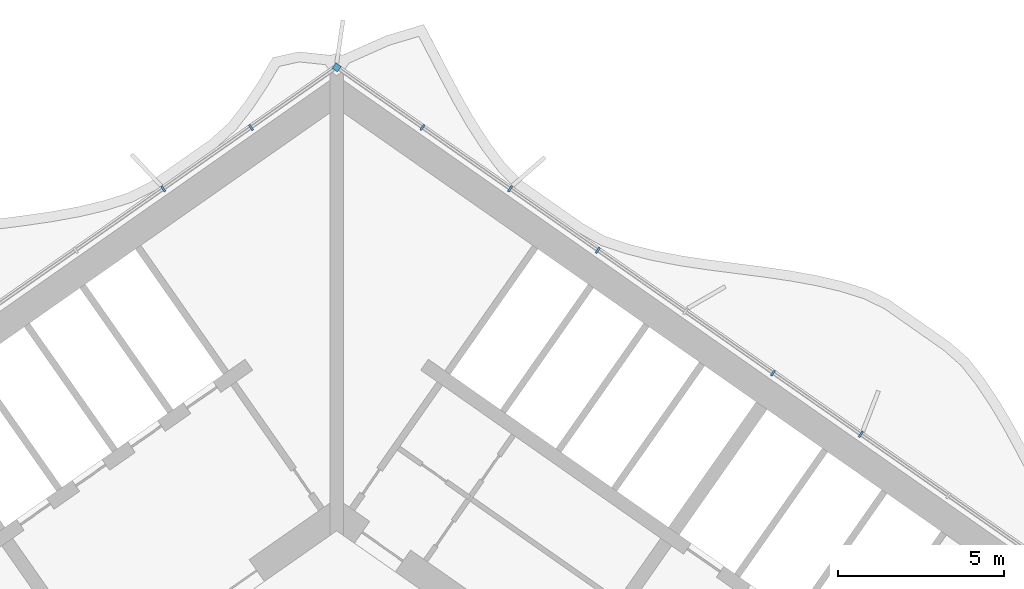
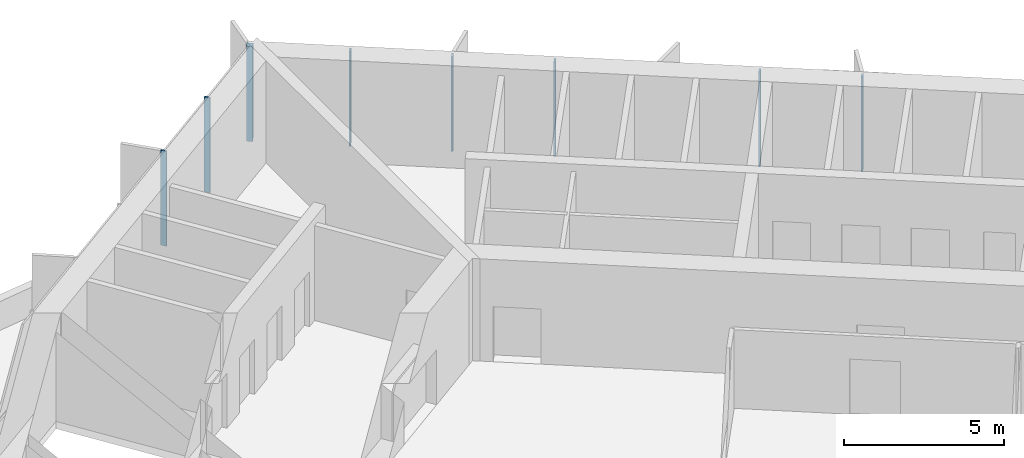
# One storey, part 9 of 23: 8 members, 1 element without a shape of its own.
"""IFC4 building model written with IfcOpenShell, lengths in metres."""

from ifc_helpers import new_model, si_unit, direction, frame, origin, origin_2d, place, context, subcontext, project, spatial, rectangle, extrude, material, material_profile, profile_set, type_object, element, aggregate, save


model = new_model("IFC4")

# Units and contexts
model_context = context("Model", 3, precision=1e-05, world=origin(), true_north=direction((0.0, 1.0)))
body_context = subcontext(model_context, "Body", "Model", "MODEL_VIEW")
ifc_project = project(units=[si_unit("LENGTHUNIT", "METRE"), si_unit("AREAUNIT", "SQUARE_METRE"), si_unit("VOLUMEUNIT", "CUBIC_METRE"), si_unit("PLANEANGLEUNIT", "RADIAN"), si_unit("MASSUNIT", "GRAM", prefix="KILO")], contexts=[model_context])

# Site, building, storey
site_placement = place(None, origin())
site = spatial("IfcSite", under=ifc_project, at=site_placement, CompositionType="ELEMENT")
building_placement = place(site_placement, origin())
building = spatial("IfcBuilding", under=site, at=building_placement, Name="Tel Ilan Convention Tower", CompositionType="ELEMENT")
storey_placement = place(building_placement, frame((0.0, 0.0, 178.800048828125)))
storey = spatial("IfcBuildingStorey", under=building, at=storey_placement, Name="L41", CompositionType="ELEMENT", Elevation=178.800048828125)

# Curtain wall, members
ifc_material_1 = material(Name="Aluminium, bronze anodised", Category="aluminium")
curtain_wall_type = type_object("IfcCurtainWallType", Name="CW2 STICK CURTAIN WALL, SPANDREL PANELS", PredefinedType="NOTDEFINED", material=ifc_material_1)
curtain_wall_placement = place(storey_placement, origin())
curtain_wall = element("IfcCurtainWall", 1, at=curtain_wall_placement, inside=storey, type_object=curtain_wall_type, Name="Curtain wall CW2-31.01", PredefinedType="NOTDEFINED")
ifc_material_2 = material(Name="Aluminium, bronze anodised", Category="aluminium")
ifc_material_profile_1 = material_profile(ifc_material_2, rectangle(XDim=0.199951171875, YDim=0.199951171875, at=origin_2d()), Name="CW CORNER MULLION 200x200")
ifc_profile_set_1 = profile_set([ifc_material_profile_1], Name="Aluminium, bronze anodised")
member_type_1 = type_object("IfcMemberType", Name="CW CORNER MULLION 200x200", PredefinedType="MULLION", material=ifc_profile_set_1)
member_1_placement = place(storey_placement, frame((0.0, 12.696044921875, 0.0), z_axis=(0.0, 0.0, 1.0), x_axis=(-0.819152044289, 0.573576436351, 0.0)))
member_1 = element("IfcMember", 2, at=member_1_placement, type_object=member_type_1, Name="Corner mullion", PredefinedType="MULLION", context=body_context, shape_type="SweptSolid", body=[
    extrude(rectangle(XDim=0.199951171875, YDim=0.199951171875, at=origin_2d()), origin(), (0.0, 0.0, 1.0), 3.619873046875),
])
ifc_material_3 = material(Name="Aluminium, bronze anodised", Category="aluminium")
ifc_material_profile_2 = material_profile(ifc_material_3, rectangle(XDim=0.06005859375, YDim=0.199951171875, at=origin_2d()), Name="CW MULLION 60x200")
ifc_profile_set_2 = profile_set([ifc_material_profile_2], Name="Aluminium, bronze anodised")
member_type_2 = type_object("IfcMemberType", Name="CW MULLION 60x200", PredefinedType="MULLION", material=ifc_profile_set_2)
member_2_placement = place(storey_placement, frame((15.73828125, 1.676025390625, 0.0), z_axis=(0.0, 0.0, 1.0), x_axis=(-0.819152044289, 0.573576436351, 0.0)))
member_2 = element("IfcMember", 3, at=member_2_placement, type_object=member_type_2, Name="Mullion", PredefinedType="MULLION", context=body_context, shape_type="SweptSolid", body=[
    extrude(rectangle(XDim=0.06005859375, YDim=0.199951171875, at=origin_2d()), origin(), (0.0, 0.0, 1.0), 3.619873046875),
])
member_3_placement = place(storey_placement, frame((13.105712890625, 3.519287109375, 0.0), z_axis=(0.0, 0.0, 1.0), x_axis=(-0.819152044289, 0.573576436351, 0.0)))
member_3 = element("IfcMember", 4, at=member_3_placement, type_object=member_type_2, Name="Mullion", PredefinedType="MULLION", context=body_context, shape_type="SweptSolid", body=[
    extrude(rectangle(XDim=0.06005859375, YDim=0.199951171875, at=origin_2d()), origin(), (0.0, 0.0, 1.0), 3.619873046875),
])
member_4_placement = place(storey_placement, frame((7.840576171875, 7.2060546875, 0.0), z_axis=(0.0, 0.0, 1.0), x_axis=(-0.819152044289, 0.573576436351, 0.0)))
member_4 = element("IfcMember", 5, at=member_4_placement, type_object=member_type_2, Name="Mullion", PredefinedType="MULLION", context=body_context, shape_type="SweptSolid", body=[
    extrude(rectangle(XDim=0.06005859375, YDim=0.199951171875, at=origin_2d()), origin(), (0.0, 0.0, 1.0), 3.619873046875),
])
member_5_placement = place(storey_placement, frame((5.207763671875, 9.049560546875, 0.0), z_axis=(0.0, 0.0, 1.0), x_axis=(-0.819152044289, 0.573576436351, 0.0)))
member_5 = element("IfcMember", 6, at=member_5_placement, type_object=member_type_2, Name="Mullion", PredefinedType="MULLION", context=body_context, shape_type="SweptSolid", body=[
    extrude(rectangle(XDim=0.06005859375, YDim=0.199951171875, at=origin_2d()), origin(), (0.0, 0.0, 1.0), 3.619873046875),
])
member_6_placement = place(storey_placement, frame((2.5751953125, 10.892822265625, 0.0), z_axis=(0.0, 0.0, 1.0), x_axis=(-0.819152044289, 0.573576436351, 0.0)))
member_6 = element("IfcMember", 7, at=member_6_placement, type_object=member_type_2, Name="Mullion", PredefinedType="MULLION", context=body_context, shape_type="SweptSolid", body=[
    extrude(rectangle(XDim=0.06005859375, YDim=0.199951171875, at=origin_2d()), origin(), (0.0, 0.0, 1.0), 3.619873046875),
])
member_7_placement = place(storey_placement, frame((-2.5751953125, 10.892822265625, 0.0), z_axis=(0.0, 0.0, 1.0), x_axis=(-0.819152044289, -0.573576436351, 0.0)))
member_7 = element("IfcMember", 8, at=member_7_placement, type_object=member_type_2, Name="Mullion", PredefinedType="MULLION", context=body_context, shape_type="SweptSolid", body=[
    extrude(rectangle(XDim=0.06005859375, YDim=0.199951171875, at=origin_2d()), origin(), (0.0, 0.0, 1.0), 3.619873046875),
])
member_8_placement = place(storey_placement, frame((-5.207763671875, 9.049560546875, 0.0), z_axis=(0.0, 0.0, 1.0), x_axis=(-0.819152044289, -0.573576436351, 0.0)))
member_8 = element("IfcMember", 9, at=member_8_placement, type_object=member_type_2, Name="Mullion", PredefinedType="MULLION", context=body_context, shape_type="SweptSolid", body=[
    extrude(rectangle(XDim=0.06005859375, YDim=0.199951171875, at=origin_2d()), origin(), (0.0, 0.0, 1.0), 3.619873046875),
])
aggregate(curtain_wall, [member_2, member_3, member_4, member_5, member_6, member_1, member_7, member_8])

save(model, "model.ifc")
